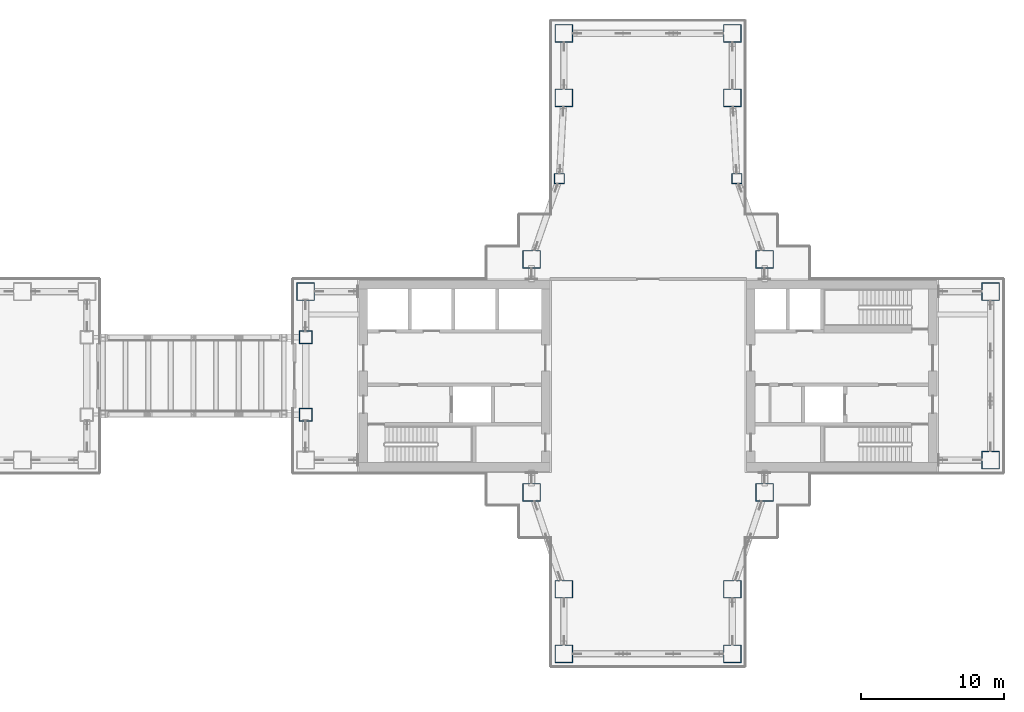
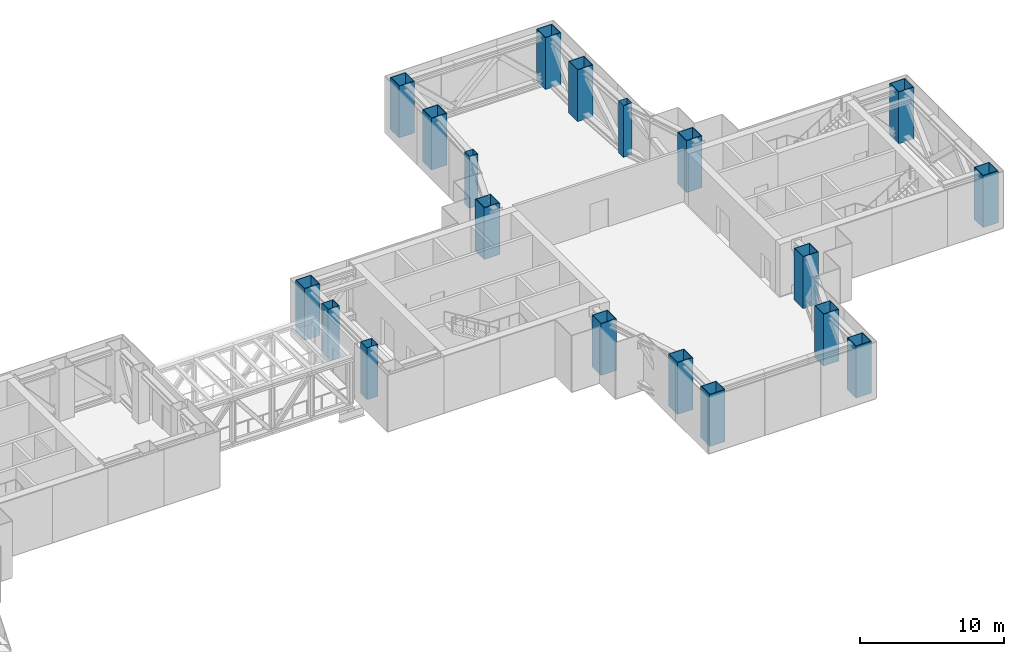
# One storey, part 2 of 21: 19 columns.
"""IFC4 building model written with IfcOpenShell, lengths in metres."""

from ifc_helpers import new_model, si_unit, direction, frame, origin, origin_2d, place, context, subcontext, project, spatial, hollow_rectangle, extrude, material, material_profile, profile_set, type_object, element, save


model = new_model("IFC4")

# Units and contexts
model_context = context("Model", 3, precision=1e-05, world=origin(), true_north=direction((0.0, 1.0)))
body_context = subcontext(model_context, "Body", "Model", "MODEL_VIEW")
ifc_project = project(units=[si_unit("LENGTHUNIT", "METRE"), si_unit("AREAUNIT", "SQUARE_METRE"), si_unit("VOLUMEUNIT", "CUBIC_METRE"), si_unit("PLANEANGLEUNIT", "RADIAN"), si_unit("MASSUNIT", "GRAM", prefix="KILO")], contexts=[model_context])

# Site, building, storey
site_placement = place(None, origin())
site = spatial("IfcSite", under=ifc_project, at=site_placement, CompositionType="ELEMENT")
building_placement = place(site_placement, origin())
building = spatial("IfcBuilding", under=site, at=building_placement, Name="Shamsa Quay Exchange Towers", CompositionType="ELEMENT")
storey_placement = place(building_placement, frame((0.0, 0.0, 128.699951171875)))
storey = spatial("IfcBuildingStorey", under=building, at=storey_placement, Name="L30", CompositionType="ELEMENT", Elevation=128.699951171875)

# Columns
ifc_material_1 = material(Name="Concrete-filled steel tube S355 / C80/95", Category="concrete")
ifc_material_profile_1 = material_profile(ifc_material_1, hollow_rectangle(XDim=1.25, YDim=1.25, WallThickness=0.050048828125, at=origin_2d()), Name="CFT 1250x1250x50")
ifc_profile_set_1 = profile_set([ifc_material_profile_1], Name="Concrete-filled steel tube S355 / C80/95")
column_type_1 = type_object("IfcColumnType", Name="Column CFT 1250x1250x50", PredefinedType="COLUMN", material=ifc_profile_set_1)
for number, where, name in (
    (1, (25.625, 8.125, 0.0), "Mega column T2-CM01"),
    (2, (41.875, 8.125, 0.0), "Mega column T2-CM02"),
    (3, (25.625, -8.125, 0.0), "Mega column T2-CM03"),
    (4, (41.875, -8.125, 0.0), "Mega column T2-CM04"),
    (5, (39.625, 19.375, 0.0), "Mega column T2-CM06"),
    (6, (39.625, 23.875, 0.0), "Mega column T2-CM07"),
    (7, (27.875, 19.375, 0.0), "Mega column T2-CM10"),
    (8, (27.875, 23.875, 0.0), "Mega column T2-CM11"),
    (9, (39.625, -14.875, 0.0), "Mega column T2-CM13"),
    (10, (39.625, -19.375, 0.0), "Mega column T2-CM14"),
    (11, (27.875, -14.875, 0.0), "Mega column T2-CM16"),
    (12, (27.875, -19.375, 0.0), "Mega column T2-CM17"),
    (13, (9.875, 5.875, 0.0), "Mega column T2-CM20"),
    (14, (57.625, -5.875, 0.0), "Mega column T2-CM21"),
    (15, (57.625, 5.875, 0.0), "Mega column T2-CM23"),
):
    element("IfcColumn", number, at=place(storey_placement, frame(where)), inside=storey, type_object=column_type_1, Name=name, PredefinedType="COLUMN", context=body_context, shape_type="SweptSolid", body=[
        extrude(hollow_rectangle(XDim=1.25, YDim=1.25, WallThickness=0.050048828125, at=origin_2d()), origin(), (0.0, 0.0, 1.0), 4.400146484375),
    ])
ifc_material_2 = material(Name="Concrete-filled steel tube S355 / C60/75", Category="concrete")
ifc_material_profile_2 = material_profile(ifc_material_2, hollow_rectangle(XDim=0.699951171875, YDim=0.699951171875, WallThickness=0.02490234375, at=origin_2d()), Name="CFT 700x700x25")
ifc_profile_set_2 = profile_set([ifc_material_profile_2], Name="Concrete-filled steel tube S355 / C60/75")
column_type_2 = type_object("IfcColumnType", Name="Column CFT 700x700x25", PredefinedType="COLUMN", material=ifc_profile_set_2)
for number, where, name in (
    (16, (39.9375, 13.75, 0.0), "Perimeter column T2-CP05"),
    (17, (27.5625, 13.75, 0.0), "Perimeter column T2-CP09"),
):
    element("IfcColumn", number, at=place(storey_placement, frame(where)), inside=storey, type_object=column_type_2, Name=name, PredefinedType="COLUMN", context=body_context, shape_type="SweptSolid", body=[
        extrude(hollow_rectangle(XDim=0.699951171875, YDim=0.699951171875, WallThickness=0.02490234375, at=origin_2d()), origin(), (0.0, 0.0, 1.0), 4.400146484375),
    ])
ifc_material_3 = material(Name="Concrete-filled steel tube S355 / C70/85", Category="concrete")
ifc_material_profile_3 = material_profile(ifc_material_3, hollow_rectangle(XDim=0.89990234375, YDim=0.89990234375, WallThickness=0.035888671875, at=origin_2d()), Name="CFT 900x900x36")
ifc_profile_set_3 = profile_set([ifc_material_profile_3], Name="Concrete-filled steel tube S355 / C70/85")
column_type_3 = type_object("IfcColumnType", Name="Landing column CFT 900x900x36", PredefinedType="COLUMN", material=ifc_profile_set_3)
for number, where, name in (
    (18, (9.875, -2.699951171875, 0.0), "Landing column T2 S"),
    (19, (9.875, 2.699951171875, 0.0), "Landing column T2 N"),
):
    element("IfcColumn", number, at=place(storey_placement, frame(where)), inside=storey, type_object=column_type_3, Name=name, PredefinedType="COLUMN", context=body_context, shape_type="SweptSolid", body=[
        extrude(hollow_rectangle(XDim=0.89990234375, YDim=0.89990234375, WallThickness=0.035888671875, at=origin_2d()), origin(), (0.0, 0.0, 1.0), 4.400146484375),
    ])

save(model, "model.ifc")
